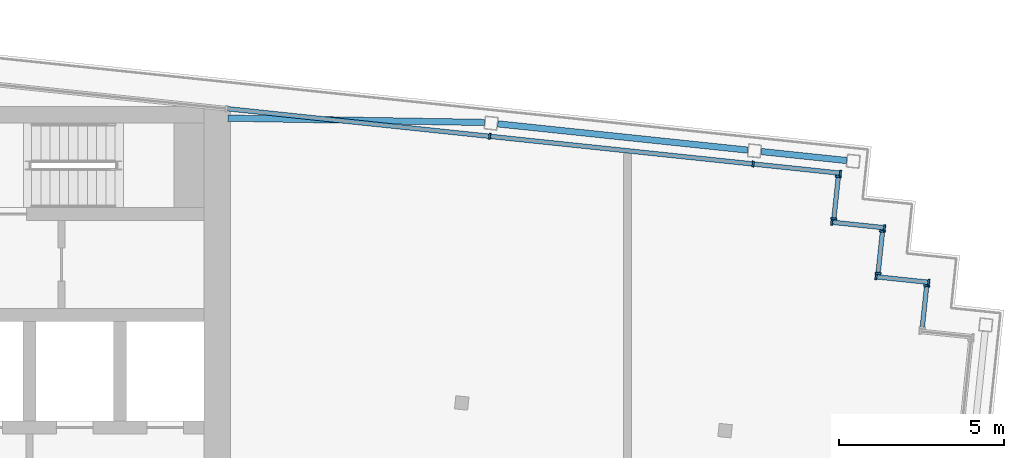
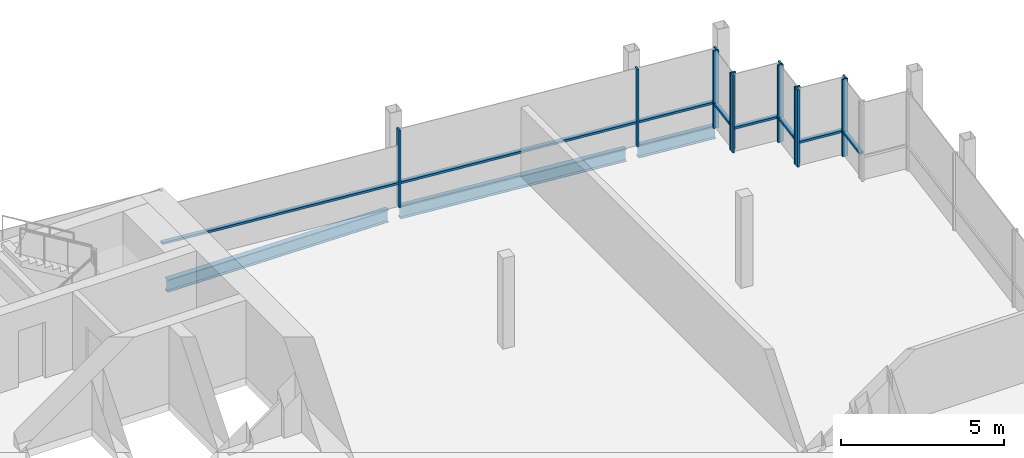
# One storey, part 8 of 15: 20 members, 3 beams, 6 elements without a shape of their own.
"""IFC4 building model written with IfcOpenShell, lengths in metres."""

from ifc_helpers import new_model, si_unit, direction, frame, origin, origin_2d, place, context, subcontext, project, spatial, rectangle, i_section, extrude, material, material_profile, profile_set, type_object, element, aggregate, save


model = new_model("IFC4")

# Units and contexts
model_context = context("Model", 3, precision=1e-05, world=origin(), true_north=direction((0.0, 1.0)))
body_context = subcontext(model_context, "Body", "Model", "MODEL_VIEW")
ifc_project = project(units=[si_unit("LENGTHUNIT", "METRE"), si_unit("AREAUNIT", "SQUARE_METRE"), si_unit("VOLUMEUNIT", "CUBIC_METRE"), si_unit("PLANEANGLEUNIT", "RADIAN"), si_unit("MASSUNIT", "GRAM", prefix="KILO")], contexts=[model_context])

# Site, building, storey
site_placement = place(None, origin())
site = spatial("IfcSite", under=ifc_project, at=site_placement, CompositionType="ELEMENT")
building_placement = place(site_placement, origin())
building = spatial("IfcBuilding", under=site, at=building_placement, Name="Vidyagriha Tower", CompositionType="ELEMENT")
storey_placement = place(building_placement, frame((0.0, 0.0, 298.300048828125)))
storey = spatial("IfcBuildingStorey", under=building, at=storey_placement, Name="L77", CompositionType="ELEMENT", Elevation=298.300048828125)

# Beams
ifc_material_1 = material(Name="Steel ASTM A992 Grade 50", Category="steel")
ifc_material_profile_1 = material_profile(ifc_material_1, i_section(OverallWidth=0.19189453125, OverallDepth=0.46240234375, WebThickness=0.010498046875, FlangeThickness=0.017578125, at=origin_2d()), Name="W18X60")
ifc_profile_set_1 = profile_set([ifc_material_profile_1], Name="Steel ASTM A992 Grade 50")
beam_type = type_object("IfcBeamType", Name="Edge beam W18X60", PredefinedType="SPANDREL", material=ifc_profile_set_1)
beam_1_placement = place(storey_placement, frame((18.080810546875, 19.4775390625, -0.51123046875), z_axis=(0.994521985944, -0.104527601494, 0.0), x_axis=(0.104527601494, 0.994521985944, 0.0)))
element("IfcBeam", 1, at=beam_1_placement, inside=storey, type_object=beam_type, Name="st-beam-L77-NE19", PredefinedType="SPANDREL", context=body_context, shape_type="SweptSolid", body=[
    extrude(i_section(OverallWidth=0.19189453125, OverallDepth=0.46240234375, WebThickness=0.010498046875, FlangeThickness=0.017578125, at=origin_2d()), origin(), (0.0, 0.0, 1.0), 7.600341796875),
])
beam_2_placement = place(storey_placement, frame((26.037109375, 18.641357421875, -0.51123046875), z_axis=(0.99451368233, -0.104606575594, 0.0), x_axis=(0.104606575594, 0.99451368233, 0.0)))
element("IfcBeam", 2, at=beam_2_placement, inside=storey, type_object=beam_type, Name="st-beam-L77-NE20", PredefinedType="SPANDREL", context=body_context, shape_type="SweptSolid", body=[
    extrude(i_section(OverallWidth=0.19189453125, OverallDepth=0.46240234375, WebThickness=0.010498046875, FlangeThickness=0.017578125, at=origin_2d()), origin(), (0.0, 0.0, 1.0), 2.599853515625),
])
beam_3_placement = place(storey_placement, frame((9.92578125, 19.64990234375, -0.51123046875), z_axis=(0.999858276636, -0.016835279726, 0.0), x_axis=(0.016835279726, 0.999858276636, 0.0)))
element("IfcBeam", 3, at=beam_3_placement, inside=storey, type_object=beam_type, Name="st-beam-L77-NC22", PredefinedType="SPANDREL", context=body_context, shape_type="SweptSolid", body=[
    extrude(i_section(OverallWidth=0.19189453125, OverallDepth=0.46240234375, WebThickness=0.010498046875, FlangeThickness=0.017578125, at=origin_2d()), origin(), (0.0, 0.0, 1.0), 7.758544921875),
])

# Curtain wall, member
ifc_material_2 = material(Name="Aluminium and glass curtain wall", Category="aluminium")
curtain_wall_type = type_object("IfcCurtainWallType", Name="Lantern glazing wall", PredefinedType="USERDEFINED", material=ifc_material_2)
curtain_wall_1_placement = place(storey_placement, origin())
curtain_wall_1 = element("IfcCurtainWall", 4, at=curtain_wall_1_placement, inside=storey, type_object=curtain_wall_type, Name="CW4 lantern glazing", ObjectType="STICK GLAZING", PredefinedType="USERDEFINED")
ifc_material_3 = material(Name="Aluminium black anodised", Category="aluminium")
ifc_material_profile_2 = material_profile(ifc_material_3, rectangle(XDim=0.179931640625, YDim=0.06005859375, at=origin_2d()), Name="Mullion 60x180 black aluminium")
ifc_profile_set_2 = profile_set([ifc_material_profile_2], Name="Aluminium black anodised")
member_type_1 = type_object("IfcMemberType", Name="Mullion 60x180 black aluminium", PredefinedType="MULLION", material=ifc_profile_set_2)
member_1_placement = place(storey_placement, frame((31.040771484375, 14.5859375, 0.0), z_axis=(0.0, 0.0, 1.0), x_axis=(-0.994527511623, 0.104475014354, 0.0)))
member_1 = element("IfcMember", 5, at=member_1_placement, type_object=member_type_1, Name="CW4 mullion 2", PredefinedType="MULLION", context=body_context, shape_type="SweptSolid", body=[
    extrude(rectangle(XDim=0.179931640625, YDim=0.06005859375, at=origin_2d()), origin(), (0.0, 0.0, 1.0), 2.89990234375),
])

# Curtain wall, members
curtain_wall_2_placement = place(storey_placement, origin())
curtain_wall_2 = element("IfcCurtainWall", 6, at=curtain_wall_2_placement, inside=storey, type_object=curtain_wall_type, Name="CW4 lantern glazing", ObjectType="STICK GLAZING", PredefinedType="USERDEFINED")
member_2_placement = place(storey_placement, frame((31.101806640625, 14.690185546875, 0.0), z_axis=(0.0, 0.0, 1.0), x_axis=(-0.104518583201, -0.994522933756, 0.0)))
member_2 = element("IfcMember", 7, at=member_2_placement, type_object=member_type_1, Name="CW4 mullion 1", PredefinedType="MULLION", context=body_context, shape_type="SweptSolid", body=[
    extrude(rectangle(XDim=0.179931640625, YDim=0.06005859375, at=origin_2d()), origin(), (0.0, 0.0, 1.0), 2.89990234375),
])
member_3_placement = place(storey_placement, frame((29.5107421875, 14.857421875, 0.0), z_axis=(0.0, 0.0, 1.0), x_axis=(-0.104518583201, -0.994522933756, 0.0)))
member_3 = element("IfcMember", 8, at=member_3_placement, type_object=member_type_1, Name="CW4 mullion 2", PredefinedType="MULLION", context=body_context, shape_type="SweptSolid", body=[
    extrude(rectangle(XDim=0.179931640625, YDim=0.06005859375, at=origin_2d()), origin(), (0.0, 0.0, 1.0), 2.89990234375),
])

curtain_wall_3_placement = place(storey_placement, origin())
curtain_wall_3 = element("IfcCurtainWall", 9, at=curtain_wall_3_placement, inside=storey, type_object=curtain_wall_type, Name="CW4 lantern glazing", ObjectType="STICK GLAZING", PredefinedType="USERDEFINED")
member_4_placement = place(storey_placement, frame((29.57177734375, 14.961669921875, 0.0), z_axis=(0.0, 0.0, 1.0), x_axis=(-0.994518939392, 0.104556583677, 0.0)))
member_4 = element("IfcMember", 10, at=member_4_placement, type_object=member_type_1, Name="CW4 mullion 1", PredefinedType="MULLION", context=body_context, shape_type="SweptSolid", body=[
    extrude(rectangle(XDim=0.179931640625, YDim=0.06005859375, at=origin_2d()), origin(), (0.0, 0.0, 1.0), 2.89990234375),
])
member_5_placement = place(storey_placement, frame((29.70556640625, 16.234619140625, 0.0), z_axis=(0.0, 0.0, 1.0), x_axis=(-0.994518939392, 0.104556583677, 0.0)))
member_5 = element("IfcMember", 11, at=member_5_placement, type_object=member_type_1, Name="CW4 mullion 2", PredefinedType="MULLION", context=body_context, shape_type="SweptSolid", body=[
    extrude(rectangle(XDim=0.179931640625, YDim=0.06005859375, at=origin_2d()), origin(), (0.0, 0.0, 1.0), 2.89990234375),
])

curtain_wall_4_placement = place(storey_placement, origin())
curtain_wall_4 = element("IfcCurtainWall", 12, at=curtain_wall_4_placement, inside=storey, type_object=curtain_wall_type, Name="CW4 lantern glazing", ObjectType="STICK GLAZING", PredefinedType="USERDEFINED")
member_6_placement = place(storey_placement, frame((29.766845703125, 16.338623046875, 0.0), z_axis=(0.0, 0.0, 1.0), x_axis=(-0.104518583201, -0.994522933756, 0.0)))
member_6 = element("IfcMember", 13, at=member_6_placement, type_object=member_type_1, Name="CW4 mullion 1", PredefinedType="MULLION", context=body_context, shape_type="SweptSolid", body=[
    extrude(rectangle(XDim=0.179931640625, YDim=0.06005859375, at=origin_2d()), origin(), (0.0, 0.0, 1.0), 2.89990234375),
])
member_7_placement = place(storey_placement, frame((28.175537109375, 16.505859375, 0.0), z_axis=(0.0, 0.0, 1.0), x_axis=(-0.104518583201, -0.994522933756, 0.0)))
member_7 = element("IfcMember", 14, at=member_7_placement, type_object=member_type_1, Name="CW4 mullion 2", PredefinedType="MULLION", context=body_context, shape_type="SweptSolid", body=[
    extrude(rectangle(XDim=0.179931640625, YDim=0.06005859375, at=origin_2d()), origin(), (0.0, 0.0, 1.0), 2.89990234375),
])

curtain_wall_5_placement = place(storey_placement, origin())
curtain_wall_5 = element("IfcCurtainWall", 15, at=curtain_wall_5_placement, inside=storey, type_object=curtain_wall_type, Name="CW4 lantern glazing", ObjectType="STICK GLAZING", PredefinedType="USERDEFINED")
member_8_placement = place(storey_placement, frame((28.23681640625, 16.6103515625, 0.0), z_axis=(0.0, 0.0, 1.0), x_axis=(-0.994518939392, 0.104556583677, 0.0)))
member_8 = element("IfcMember", 16, at=member_8_placement, type_object=member_type_1, Name="CW4 mullion 1", PredefinedType="MULLION", context=body_context, shape_type="SweptSolid", body=[
    extrude(rectangle(XDim=0.179931640625, YDim=0.06005859375, at=origin_2d()), origin(), (0.0, 0.0, 1.0), 2.89990234375),
])
member_9_placement = place(storey_placement, frame((28.37060546875, 17.883056640625, 0.0), z_axis=(0.0, 0.0, 1.0), x_axis=(-0.994518939392, 0.104556583677, 0.0)))
member_9 = element("IfcMember", 17, at=member_9_placement, type_object=member_type_1, Name="CW4 mullion 2", PredefinedType="MULLION", context=body_context, shape_type="SweptSolid", body=[
    extrude(rectangle(XDim=0.179931640625, YDim=0.06005859375, at=origin_2d()), origin(), (0.0, 0.0, 1.0), 2.89990234375),
])

curtain_wall_6_placement = place(storey_placement, origin())
curtain_wall_6 = element("IfcCurtainWall", 18, at=curtain_wall_6_placement, inside=storey, type_object=curtain_wall_type, Name="CW4 lantern glazing", ObjectType="STICK GLAZING", PredefinedType="USERDEFINED")
member_10_placement = place(storey_placement, frame((28.431884765625, 17.9873046875, 0.0), z_axis=(0.0, 0.0, 1.0), x_axis=(-0.104528022383, -0.994521941707, 0.0)))
member_10 = element("IfcMember", 19, at=member_10_placement, type_object=member_type_1, Name="CW4 mullion 1", PredefinedType="MULLION", context=body_context, shape_type="SweptSolid", body=[
    extrude(rectangle(XDim=0.179931640625, YDim=0.06005859375, at=origin_2d()), origin(), (0.0, 0.0, 1.0), 2.89990234375),
])
member_11_placement = place(storey_placement, frame((25.79638671875, 18.264404296875, 0.0), z_axis=(0.0, 0.0, 1.0), x_axis=(-0.104528022383, -0.994521941707, 0.0)))
member_11 = element("IfcMember", 20, at=member_11_placement, type_object=member_type_1, Name="CW4 mullion 2", PredefinedType="MULLION", context=body_context, shape_type="SweptSolid", body=[
    extrude(rectangle(XDim=0.179931640625, YDim=0.06005859375, at=origin_2d()), origin(), (0.0, 0.0, 1.0), 2.89990234375),
])
member_12_placement = place(storey_placement, frame((17.840087890625, 19.1005859375, 0.0), z_axis=(0.0, 0.0, 1.0), x_axis=(-0.104528022383, -0.994521941707, 0.0)))
member_12 = element("IfcMember", 21, at=member_12_placement, type_object=member_type_1, Name="CW4 mullion 3", PredefinedType="MULLION", context=body_context, shape_type="SweptSolid", body=[
    extrude(rectangle(XDim=0.179931640625, YDim=0.06005859375, at=origin_2d()), origin(), (0.0, 0.0, 1.0), 2.89990234375),
])

# Member
ifc_material_4 = material(Name="Aluminium black anodised", Category="aluminium")
ifc_material_profile_3 = material_profile(ifc_material_4, rectangle(XDim=0.139892578125, YDim=0.080078125, at=origin_2d()), Name="Transom 80x140 black aluminium")
ifc_profile_set_3 = profile_set([ifc_material_profile_3], Name="Aluminium black anodised")
member_type_2 = type_object("IfcMemberType", Name="Transom 80x140 black aluminium", PredefinedType="USERDEFINED", material=ifc_profile_set_3)
member_13_placement = place(storey_placement, frame((30.91015625, 13.3427734375, 0.89990234375), z_axis=(0.104455618622, 0.994529548952, 0.0), x_axis=(-0.994529548952, 0.104455618622, 0.0)))
member_13 = element("IfcMember", 22, at=member_13_placement, type_object=member_type_2, Name="CW4 transom 1.1", ObjectType="TRANSOM", PredefinedType="USERDEFINED", context=body_context, shape_type="SweptSolid", body=[
    extrude(rectangle(XDim=0.139892578125, YDim=0.080078125, at=origin_2d()), origin(), (0.0, 0.0, 1.0), 1.219970703125),
])

aggregate(curtain_wall_1, [member_1, member_13])

member_14_placement = place(storey_placement, frame((31.072021484375, 14.693359375, 0.89990234375), z_axis=(-0.994527149453, 0.104478461899, 0.0), x_axis=(-0.104478461899, -0.994527149453, 0.0)))
member_14 = element("IfcMember", 23, at=member_14_placement, type_object=member_type_2, Name="CW4 transom 1.1", ObjectType="TRANSOM", PredefinedType="USERDEFINED", context=body_context, shape_type="SweptSolid", body=[
    extrude(rectangle(XDim=0.139892578125, YDim=0.080078125, at=origin_2d()), origin(), (0.0, 0.0, 1.0), 1.5400390625),
])

aggregate(curtain_wall_2, [member_2, member_3, member_14])

member_15_placement = place(storey_placement, frame((29.574951171875, 14.991455078125, 0.89990234375), z_axis=(0.104653535604, 0.994508741784, 0.0), x_axis=(-0.994508741784, 0.104653535604, 0.0)))
member_15 = element("IfcMember", 24, at=member_15_placement, type_object=member_type_2, Name="CW4 transom 1.1", ObjectType="TRANSOM", PredefinedType="USERDEFINED", context=body_context, shape_type="SweptSolid", body=[
    extrude(rectangle(XDim=0.139892578125, YDim=0.080078125, at=origin_2d()), origin(), (0.0, 0.0, 1.0), 1.219970703125),
])

aggregate(curtain_wall_3, [member_4, member_5, member_15])

member_16_placement = place(storey_placement, frame((29.737060546875, 16.341796875, 0.89990234375), z_axis=(-0.994510663906, 0.104635268321, 0.0), x_axis=(-0.104635268321, -0.994510663906, 0.0)))
member_16 = element("IfcMember", 25, at=member_16_placement, type_object=member_type_2, Name="CW4 transom 1.1", ObjectType="TRANSOM", PredefinedType="USERDEFINED", context=body_context, shape_type="SweptSolid", body=[
    extrude(rectangle(XDim=0.139892578125, YDim=0.080078125, at=origin_2d()), origin(), (0.0, 0.0, 1.0), 1.5400390625),
])

aggregate(curtain_wall_4, [member_6, member_7, member_16])

member_17_placement = place(storey_placement, frame((28.239990234375, 16.64013671875, 0.89990234375), z_axis=(0.104476410646, 0.994527364942, 0.0), x_axis=(-0.994527364942, 0.104476410646, 0.0)))
member_17 = element("IfcMember", 26, at=member_17_placement, type_object=member_type_2, Name="CW4 transom 1.1", ObjectType="TRANSOM", PredefinedType="USERDEFINED", context=body_context, shape_type="SweptSolid", body=[
    extrude(rectangle(XDim=0.139892578125, YDim=0.080078125, at=origin_2d()), origin(), (0.0, 0.0, 1.0), 1.2197265625),
])

aggregate(curtain_wall_5, [member_8, member_9, member_17])

member_18_placement = place(storey_placement, frame((28.402099609375, 17.990478515625, 0.89990234375), z_axis=(-0.994521452323, 0.104532678478, 0.0), x_axis=(-0.104532678478, -0.994521452323, 0.0)))
member_18 = element("IfcMember", 27, at=member_18_placement, type_object=member_type_2, Name="CW4 transom 1.1", ObjectType="TRANSOM", PredefinedType="USERDEFINED", context=body_context, shape_type="SweptSolid", body=[
    extrude(rectangle(XDim=0.139892578125, YDim=0.080078125, at=origin_2d()), origin(), (0.0, 0.0, 1.0), 2.590087890625),
])

member_19_placement = place(storey_placement, frame((25.7666015625, 18.267578125, 0.89990234375), z_axis=(-0.994523465953, 0.104513519069, 0.0), x_axis=(-0.104513519069, -0.994523465953, 0.0)))
member_19 = element("IfcMember", 28, at=member_19_placement, type_object=member_type_2, Name="CW4 transom 2.1", ObjectType="TRANSOM", PredefinedType="USERDEFINED", context=body_context, shape_type="SweptSolid", body=[
    extrude(rectangle(XDim=0.139892578125, YDim=0.080078125, at=origin_2d()), origin(), (0.0, 0.0, 1.0), 7.93994140625),
])

member_20_placement = place(storey_placement, frame((17.810302734375, 19.103759765625, 0.89990234375), z_axis=(-0.994523465953, 0.104513519069, 0.0), x_axis=(-0.104513519069, -0.994523465953, 0.0)))
member_20 = element("IfcMember", 29, at=member_20_placement, type_object=member_type_2, Name="CW4 transom 3.1", ObjectType="TRANSOM", PredefinedType="USERDEFINED", context=body_context, shape_type="SweptSolid", body=[
    extrude(rectangle(XDim=0.139892578125, YDim=0.080078125, at=origin_2d()), origin(), (0.0, 0.0, 1.0), 7.93994140625),
])

aggregate(curtain_wall_6, [member_10, member_11, member_12, member_18, member_19, member_20])

save(model, "model.ifc")
